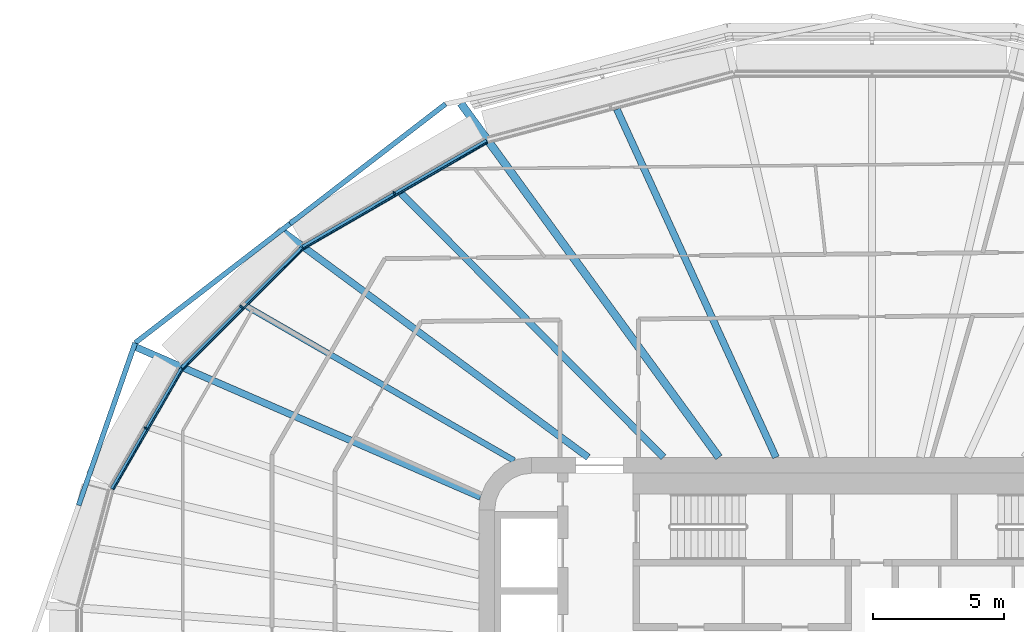
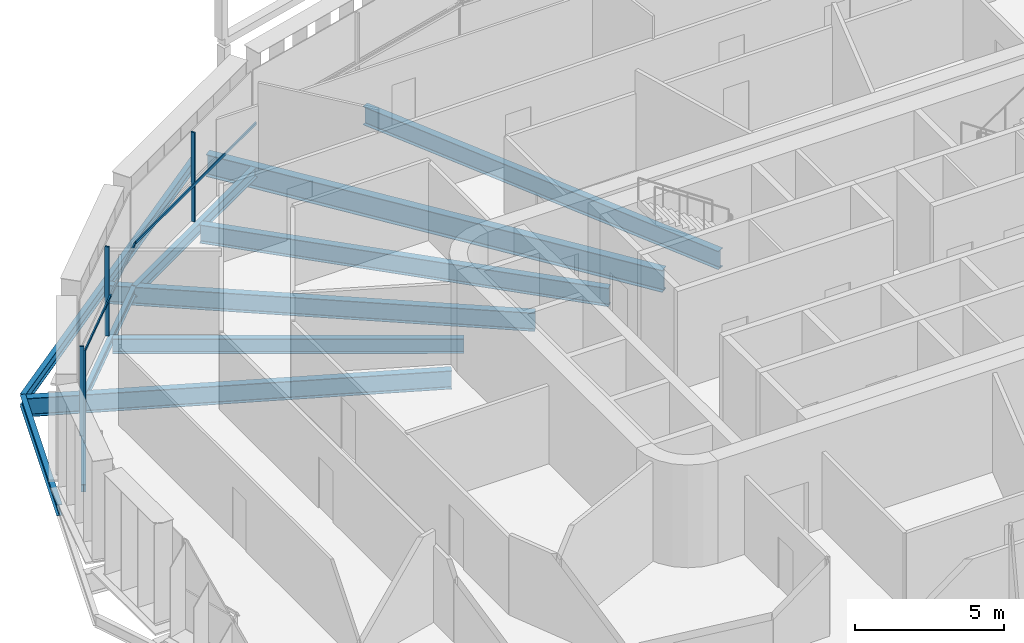
# One storey, part 6 of 22: 12 beams, 6 members, 3 elements without a shape of their own.
"""IFC4 building model written with IfcOpenShell, lengths in metres."""

from ifc_helpers import new_model, si_unit, direction, frame, origin, origin_2d, place, context, subcontext, project, spatial, rectangle, i_section, extrude, material, layer, layer_set, material_profile, profile_set, type_object, element, aggregate, save


model = new_model("IFC4")

# Units and contexts
model_context = context("Model", 3, precision=1e-05, world=origin(), true_north=direction((0.0, 1.0)))
body_context = subcontext(model_context, "Body", "Model", "MODEL_VIEW")
ifc_project = project(units=[si_unit("LENGTHUNIT", "METRE"), si_unit("AREAUNIT", "SQUARE_METRE"), si_unit("VOLUMEUNIT", "CUBIC_METRE"), si_unit("PLANEANGLEUNIT", "RADIAN"), si_unit("MASSUNIT", "GRAM", prefix="KILO")], contexts=[model_context])

# Site, building, storey
site_placement = place(None, origin())
site = spatial("IfcSite", under=ifc_project, at=site_placement, CompositionType="ELEMENT")
building_placement = place(site_placement, origin())
building = spatial("IfcBuilding", under=site, at=building_placement, Name="Sahrelin Media Tower", CompositionType="ELEMENT")
storey_placement = place(building_placement, frame((0.0, 0.0, 50.39990234375)))
storey = spatial("IfcBuildingStorey", under=building, at=storey_placement, Name="L07", CompositionType="ELEMENT", Elevation=50.39990234375)

# Beams
ifc_material_1 = material(Name="Steel S355", Category="steel")
ifc_material_profile_1 = material_profile(ifc_material_1, i_section(OverallWidth=0.1650390625, OverallDepth=0.303466796875, WebThickness=0.006103515625, FlangeThickness=0.01025390625, FilletRadius=0.0087890625, at=origin_2d()), Name="UB 305x165x40")
ifc_profile_set_1 = profile_set([ifc_material_profile_1], Name="Steel S355")
beam_type_1 = type_object("IfcBeamType", Name="Edge beam EB2", PredefinedType="BEAM", material=ifc_profile_set_1)
beam_1_placement = place(storey_placement, frame((-28.99609375, 6.785400390625, -0.301513671875), z_axis=(0.500035096025, 0.866005140137, 0.0), x_axis=(-0.866005140137, 0.500035096025, 0.0)))
element("IfcBeam", 1, at=beam_1_placement, inside=storey, type_object=beam_type_1, Name="Edge beam L07-15", PredefinedType="BEAM", context=body_context, shape_type="SweptSolid", body=[
    extrude(i_section(OverallWidth=0.1650390625, OverallDepth=0.303466796875, WebThickness=0.006103515625, FlangeThickness=0.01025390625, FilletRadius=0.0087890625, at=origin_2d()), origin(), (0.0, 0.0, 1.0), 5.3173828125),
])
ifc_material_profile_2 = material_profile(ifc_material_1, i_section(OverallWidth=0.17138671875, OverallDepth=0.35498046875, WebThickness=0.00732421875, FlangeThickness=0.011474609375, FilletRadius=0.01025390625, at=origin_2d()), Name="UB 356x171x51")
ifc_profile_set_2 = profile_set([ifc_material_profile_2], Name="Steel S355")
beam_type_2 = type_object("IfcBeamType", Name="Edge beam EB3", PredefinedType="BEAM", material=ifc_profile_set_2)
beam_2_placement = place(storey_placement, frame((-26.319580078125, 11.4130859375, -0.327392578125), z_axis=(0.707087947355, 0.707125614516, 0.0), x_axis=(-0.707125614516, 0.707087947355, 0.0)))
element("IfcBeam", 2, at=beam_2_placement, inside=storey, type_object=beam_type_2, Name="Edge beam L07-16", PredefinedType="BEAM", context=body_context, shape_type="SweptSolid", body=[
    extrude(i_section(OverallWidth=0.17138671875, OverallDepth=0.35498046875, WebThickness=0.00732421875, FlangeThickness=0.011474609375, FilletRadius=0.01025390625, at=origin_2d()), origin(), (0.0, 0.0, 1.0), 6.4814453125),
])
ifc_material_profile_3 = material_profile(ifc_material_1, i_section(OverallWidth=0.1904296875, OverallDepth=0.45703125, WebThickness=0.009033203125, FlangeThickness=0.014404296875, FilletRadius=0.01025390625, at=origin_2d()), Name="UB 457x191x74")
ifc_profile_set_3 = profile_set([ifc_material_profile_3], Name="Steel S355")
beam_type_3 = type_object("IfcBeamType", Name="Edge beam EB5", PredefinedType="BEAM", material=ifc_profile_set_3)
beam_3_placement = place(storey_placement, frame((-21.713623046875, 16.013916015625, -0.37841796875), z_axis=(0.866025076934, 0.500000566121, 0.0), x_axis=(-0.500000566121, 0.866025076934, 0.0)))
element("IfcBeam", 3, at=beam_3_placement, inside=storey, type_object=beam_type_3, Name="Edge beam L07-17", PredefinedType="BEAM", context=body_context, shape_type="SweptSolid", body=[
    extrude(i_section(OverallWidth=0.1904296875, OverallDepth=0.45703125, WebThickness=0.009033203125, FlangeThickness=0.014404296875, FilletRadius=0.01025390625, at=origin_2d()), origin(), (0.0, 0.0, 1.0), 8.10546875),
])

# Curtain wall, member
ifc_material_2 = material(Name="Champagne anodised aluminium 6063-T6", Category="aluminium")
ifc_layer = layer(ifc_material_2, 0.14990234375)
ifc_layer_set = layer_set([ifc_layer], Name="Tower ribbon curtain wall")
curtain_wall_type = type_object("IfcCurtainWallType", Name="Tower ribbon curtain wall", PredefinedType="NOTDEFINED", material=ifc_layer_set)
curtain_wall_1_placement = place(storey_placement, frame((-18.27880859375, 18.170166015625, 0.0), z_axis=(0.0, 0.0, 1.0), x_axis=(1.0, 0.0, 0.0)))
curtain_wall_1 = element("IfcCurtainWall", 4, at=curtain_wall_1_placement, inside=storey, type_object=curtain_wall_type, Name="L07:CW:L07-08", PredefinedType="NOTDEFINED")
ifc_material_profile_4 = material_profile(ifc_material_2, rectangle(XDim=0.06005859375, YDim=0.14990234375, at=origin_2d()), Name="Mullion 60x150")
ifc_profile_set_4 = profile_set([ifc_material_profile_4], Name="Champagne anodised aluminium 6063-T6")
member_type_1 = type_object("IfcMemberType", Name="Mullion 60x150 CW1", PredefinedType="MULLION", material=ifc_profile_set_4)
member_1_placement = place(storey_placement, frame((-18.2314453125, 18.087890625, 0.0), z_axis=(0.0, 0.0, 1.0), x_axis=(-0.866025403784, -0.5, 0.0)))
member_1 = element("IfcMember", 5, at=member_1_placement, type_object=member_type_1, Name="L07:CWM:L07-08", PredefinedType="MULLION", context=body_context, shape_type="SweptSolid", body=[
    extrude(rectangle(XDim=0.06005859375, YDim=0.14990234375, at=origin_2d()), origin(), (0.0, 0.0, 1.0), 3.648681640625),
])

curtain_wall_2_placement = place(storey_placement, frame((-24.134033203125, 13.810791015625, 0.0), z_axis=(0.0, 0.0, 1.0), x_axis=(1.0, 0.0, 0.0)))
curtain_wall_2 = element("IfcCurtainWall", 6, at=curtain_wall_2_placement, inside=storey, type_object=curtain_wall_type, Name="L07:CW:L07-09", PredefinedType="NOTDEFINED")
member_2_placement = place(storey_placement, frame((-24.06689453125, 13.74365234375, 0.0), z_axis=(0.0, 0.0, 1.0), x_axis=(-0.707106781187, -0.707106781187, 0.0)))
member_2 = element("IfcMember", 7, at=member_2_placement, type_object=member_type_1, Name="L07:CWM:L07-09", PredefinedType="MULLION", context=body_context, shape_type="SweptSolid", body=[
    extrude(rectangle(XDim=0.06005859375, YDim=0.14990234375, at=origin_2d()), origin(), (0.0, 0.0, 1.0), 3.648681640625),
])

curtain_wall_3_placement = place(storey_placement, frame((-27.79638671875, 9.162841796875, 0.0), z_axis=(0.0, 0.0, 1.0), x_axis=(1.0, 0.0, 0.0)))
curtain_wall_3 = element("IfcCurtainWall", 8, at=curtain_wall_3_placement, inside=storey, type_object=curtain_wall_type, Name="L07:CW:L07-10", PredefinedType="NOTDEFINED")
member_3_placement = place(storey_placement, frame((-27.714111328125, 9.115234375, 0.0), z_axis=(0.0, 0.0, 1.0), x_axis=(-0.500001511499, -0.866024531118, 0.0)))
member_3 = element("IfcMember", 9, at=member_3_placement, type_object=member_type_1, Name="L07:CWM:L07-10", PredefinedType="MULLION", context=body_context, shape_type="SweptSolid", body=[
    extrude(rectangle(XDim=0.06005859375, YDim=0.14990234375, at=origin_2d()), origin(), (0.0, 0.0, 1.0), 3.648681640625),
])

# Beams
ifc_material_profile_5 = material_profile(ifc_material_1, i_section(OverallWidth=0.30322265625, OverallDepth=0.903076171875, WebThickness=0.01513671875, FlangeThickness=0.020263671875, FilletRadius=0.01904296875, at=origin_2d()), Name="UB 914x305x201")
ifc_profile_set_5 = profile_set([ifc_material_profile_5], Name="Steel S355")
beam_type_4 = type_object("IfcBeamType", Name="Radial primary beam PB11", PredefinedType="BEAM", material=ifc_profile_set_5)
beam_4_placement = place(storey_placement, frame((-5.83349609375, 8.0, -0.601318359375), z_axis=(-0.589182282122, 0.808000147546, 0.0), x_axis=(-0.808000147546, -0.589182282122, 0.0)))
element("IfcBeam", 10, at=beam_4_placement, inside=storey, type_object=beam_type_4, Name="Radial beam L07-08", PredefinedType="BEAM", context=body_context, shape_type="SweptSolid", body=[
    extrude(i_section(OverallWidth=0.30322265625, OverallDepth=0.903076171875, WebThickness=0.01513671875, FlangeThickness=0.020263671875, FilletRadius=0.01904296875, at=origin_2d()), origin(), (0.0, 0.0, 1.0), 16.72705078125),
])
ifc_material_profile_6 = material_profile(ifc_material_1, i_section(OverallWidth=0.26513671875, OverallDepth=0.75390625, WebThickness=0.0126953125, FlangeThickness=0.017578125, FilletRadius=0.0166015625, at=origin_2d()), Name="UB 762x267x147")
ifc_profile_set_6 = profile_set([ifc_material_profile_6], Name="Steel S355")
beam_type_5 = type_object("IfcBeamType", Name="Radial primary beam PB9", PredefinedType="BEAM", material=ifc_profile_set_6)
beam_5_placement = place(storey_placement, frame((-10.823486328125, 8.0, -0.52685546875), z_axis=(-0.804169832408, 0.594399596774, 0.0), x_axis=(-0.594399596774, -0.804169832408, 0.0)))
element("IfcBeam", 11, at=beam_5_placement, inside=storey, type_object=beam_type_5, Name="Radial beam L07-09", PredefinedType="BEAM", context=body_context, shape_type="SweptSolid", body=[
    extrude(i_section(OverallWidth=0.26513671875, OverallDepth=0.75390625, WebThickness=0.0126953125, FlangeThickness=0.017578125, FilletRadius=0.0166015625, at=origin_2d()), origin(), (0.0, 0.0, 1.0), 14.475830078125),
])
beam_6_placement = place(storey_placement, frame((-14.935302734375, 6.49072265625, -0.52685546875), z_axis=(-0.917134773268, 0.398577229232, 0.0), x_axis=(-0.398577229232, -0.917134773268, 0.0)))
element("IfcBeam", 12, at=beam_6_placement, inside=storey, type_object=beam_type_5, Name="Radial beam L07-10", PredefinedType="BEAM", context=body_context, shape_type="SweptSolid", body=[
    extrude(i_section(OverallWidth=0.26513671875, OverallDepth=0.75390625, WebThickness=0.0126953125, FlangeThickness=0.017578125, FilletRadius=0.0166015625, at=origin_2d()), origin(), (0.0, 0.0, 1.0), 14.331298828125),
])
ifc_material_profile_7 = material_profile(ifc_material_1, i_section(OverallWidth=0.2275390625, OverallDepth=0.6025390625, WebThickness=0.010498046875, FlangeThickness=0.014892578125, FilletRadius=0.0126953125, at=origin_2d()), Name="UB 610x229x101")
ifc_profile_set_7 = profile_set([ifc_material_profile_7], Name="Steel S355")
beam_type_6 = type_object("IfcBeamType", Name="Radial secondary beam SB7", PredefinedType="BEAM", material=ifc_profile_set_7)
beam_7_placement = place(storey_placement, frame((-13.65283203125, 7.8759765625, -0.451171875), z_axis=(-0.866208367887, 0.49968296289, 0.0), x_axis=(-0.49968296289, -0.866208367887, 0.0)))
element("IfcBeam", 13, at=beam_7_placement, inside=storey, type_object=beam_type_6, Name="Secondary beam L07-09", PredefinedType="BEAM", context=body_context, shape_type="SweptSolid", body=[
    extrude(i_section(OverallWidth=0.2275390625, OverallDepth=0.6025390625, WebThickness=0.010498046875, FlangeThickness=0.014892578125, FilletRadius=0.0126953125, at=origin_2d()), origin(), (0.0, 0.0, 1.0), 11.774658203125),
])
ifc_material_profile_8 = material_profile(ifc_material_1, i_section(OverallWidth=0.26513671875, OverallDepth=0.75390625, WebThickness=0.0126953125, FlangeThickness=0.017578125, FilletRadius=0.0166015625, at=origin_2d()), Name="UB 762x267x147")
ifc_profile_set_8 = profile_set([ifc_material_profile_8], Name="Steel S355")
beam_type_7 = type_object("IfcBeamType", Name="Radial secondary beam SB9", PredefinedType="BEAM", material=ifc_profile_set_8)
beam_8_placement = place(storey_placement, frame((-3.656982421875, 8.0, -0.52685546875), z_axis=(-0.415742784264, 0.909482235853, 0.0), x_axis=(-0.909482235853, -0.415742784264, 0.0)))
element("IfcBeam", 14, at=beam_8_placement, inside=storey, type_object=beam_type_7, Name="Secondary beam L07-07", PredefinedType="BEAM", context=body_context, shape_type="SweptSolid", body=[
    extrude(i_section(OverallWidth=0.26513671875, OverallDepth=0.75390625, WebThickness=0.0126953125, FlangeThickness=0.017578125, FilletRadius=0.0166015625, at=origin_2d()), origin(), (0.0, 0.0, 1.0), 14.61474609375),
])
beam_9_placement = place(storey_placement, frame((-7.948486328125, 8.0, -0.52685546875), z_axis=(-0.704816337712, 0.709389829426, 0.0), x_axis=(-0.709389829426, -0.704816337712, 0.0)))
element("IfcBeam", 15, at=beam_9_placement, inside=storey, type_object=beam_type_7, Name="Secondary beam L07-08", PredefinedType="BEAM", context=body_context, shape_type="SweptSolid", body=[
    extrude(i_section(OverallWidth=0.26513671875, OverallDepth=0.75390625, WebThickness=0.0126953125, FlangeThickness=0.017578125, FilletRadius=0.0166015625, at=origin_2d()), origin(), (0.0, 0.0, 1.0), 14.199462890625),
])
ifc_material_profile_9 = material_profile(ifc_material_1, i_section(OverallWidth=0.1904296875, OverallDepth=0.45703125, WebThickness=0.009033203125, FlangeThickness=0.014404296875, FilletRadius=0.01025390625, at=origin_2d()), Name="UB 457x191x74")
ifc_profile_set_9 = profile_set([ifc_material_profile_9], Name="Steel S355")
beam_type_8 = type_object("IfcBeamType", Name="Tie chord TC5", PredefinedType="BEAM", material=ifc_profile_set_9)
beam_10_placement = place(storey_placement, frame((-30.27880859375, 6.17236328125, -0.37841796875), z_axis=(0.328689445257, 0.944438059682, 0.0), x_axis=(-0.944438059682, 0.328689445257, 0.0)))
element("IfcBeam", 16, at=beam_10_placement, inside=storey, type_object=beam_type_8, Name="Tie chord L07-14", PredefinedType="BEAM", context=body_context, shape_type="SweptSolid", body=[
    extrude(i_section(OverallWidth=0.1904296875, OverallDepth=0.45703125, WebThickness=0.009033203125, FlangeThickness=0.014404296875, FilletRadius=0.01025390625, at=origin_2d()), origin(), (0.0, 0.0, 1.0), 6.562255859375),
])
beam_11_placement = place(storey_placement, frame((-28.121826171875, 12.3701171875, -0.37841796875), z_axis=(0.792441485976, 0.609947941471, 0.0), x_axis=(-0.609947941471, 0.792441485976, 0.0)))
element("IfcBeam", 17, at=beam_11_placement, inside=storey, type_object=beam_type_8, Name="Tie chord L07-15", PredefinedType="BEAM", context=body_context, shape_type="SweptSolid", body=[
    extrude(i_section(OverallWidth=0.1904296875, OverallDepth=0.45703125, WebThickness=0.009033203125, FlangeThickness=0.014404296875, FilletRadius=0.01025390625, at=origin_2d()), origin(), (0.0, 0.0, 1.0), 7.4609375),
])
beam_12_placement = place(storey_placement, frame((-22.20947265625, 16.9208984375, -0.37841796875), z_axis=(0.792465355599, 0.609916928913, 0.0), x_axis=(-0.609916928913, 0.792465355599, 0.0)))
element("IfcBeam", 18, at=beam_12_placement, inside=storey, type_object=beam_type_8, Name="Tie chord L07-16", PredefinedType="BEAM", context=body_context, shape_type="SweptSolid", body=[
    extrude(i_section(OverallWidth=0.1904296875, OverallDepth=0.45703125, WebThickness=0.009033203125, FlangeThickness=0.014404296875, FilletRadius=0.01025390625, at=origin_2d()), origin(), (0.0, 0.0, 1.0), 7.49609375),
])

# Member
ifc_material_profile_10 = material_profile(ifc_material_2, rectangle(XDim=0.050048828125, YDim=0.10009765625, at=origin_2d()), Name="Transom 50x100")
ifc_profile_set_10 = profile_set([ifc_material_profile_10], Name="Champagne anodised aluminium 6063-T6")
member_type_2 = type_object("IfcMemberType", Name="Transom 50x100 CW1", PredefinedType="USERDEFINED", material=ifc_profile_set_10)
member_4_placement = place(storey_placement, frame((-14.685302734375, 20.019775390625, 1.60009765625), z_axis=(-0.866029485168, -0.49999293077, 0.0), x_axis=(0.49999293077, -0.866029485168, 0.0)))
member_4 = element("IfcMember", 19, at=member_4_placement, type_object=member_type_2, Name="L07:CWT:L07-08", ObjectType="TRANSOM", PredefinedType="USERDEFINED", context=body_context, shape_type="SweptSolid", body=[
    extrude(rectangle(XDim=0.050048828125, YDim=0.10009765625, at=origin_2d()), origin(), (0.0, 0.0, 1.0), 8.07373046875),
])

aggregate(curtain_wall_1, [member_1, member_4])

member_5_placement = place(storey_placement, frame((-21.7158203125, 15.95361328125, 1.60009765625), z_axis=(-0.707106781187, -0.707106781187, 0.0), x_axis=(0.707106781187, -0.707106781187, 0.0)))
member_5 = element("IfcMember", 20, at=member_5_placement, type_object=member_type_2, Name="L07:CWT:L07-09", ObjectType="TRANSOM", PredefinedType="USERDEFINED", context=body_context, shape_type="SweptSolid", body=[
    extrude(rectangle(XDim=0.050048828125, YDim=0.10009765625, at=origin_2d()), origin(), (0.0, 0.0, 1.0), 6.4501953125),
])

aggregate(curtain_wall_2, [member_2, member_5])

member_6_placement = place(storey_placement, frame((-26.30615234375, 11.354248046875, 1.60009765625), z_axis=(-0.500003640647, -0.866023301845, 0.0), x_axis=(0.866023301845, -0.500003640647, 0.0)))
member_6 = element("IfcMember", 21, at=member_6_placement, type_object=member_type_2, Name="L07:CWT:L07-10", ObjectType="TRANSOM", PredefinedType="USERDEFINED", context=body_context, shape_type="SweptSolid", body=[
    extrude(rectangle(XDim=0.050048828125, YDim=0.10009765625, at=origin_2d()), origin(), (0.0, 0.0, 1.0), 5.2861328125),
])

aggregate(curtain_wall_3, [member_3, member_6])

save(model, "model.ifc")
